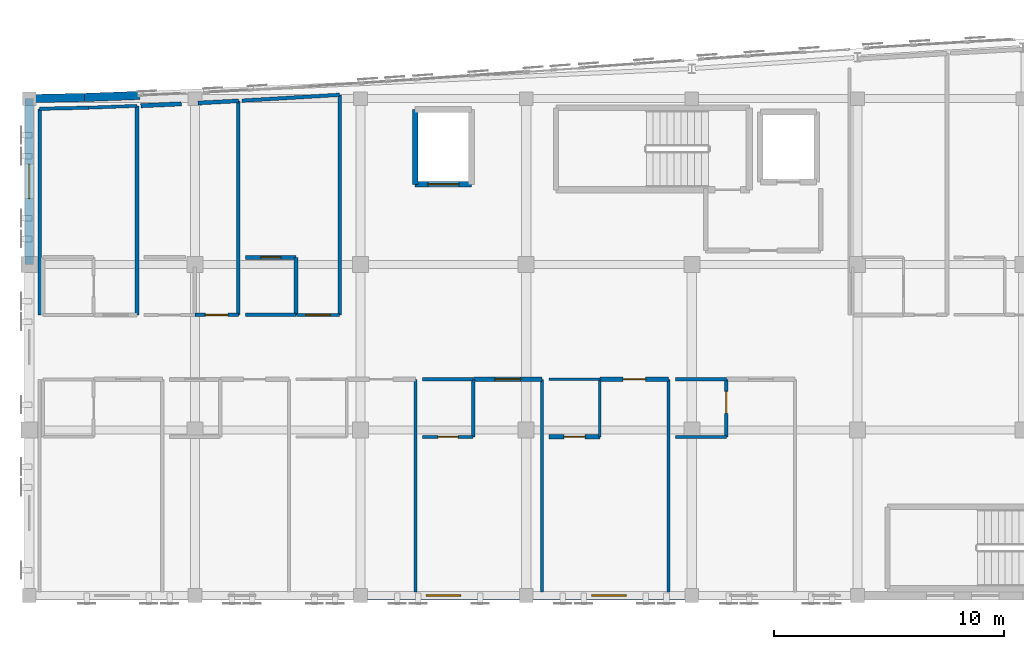
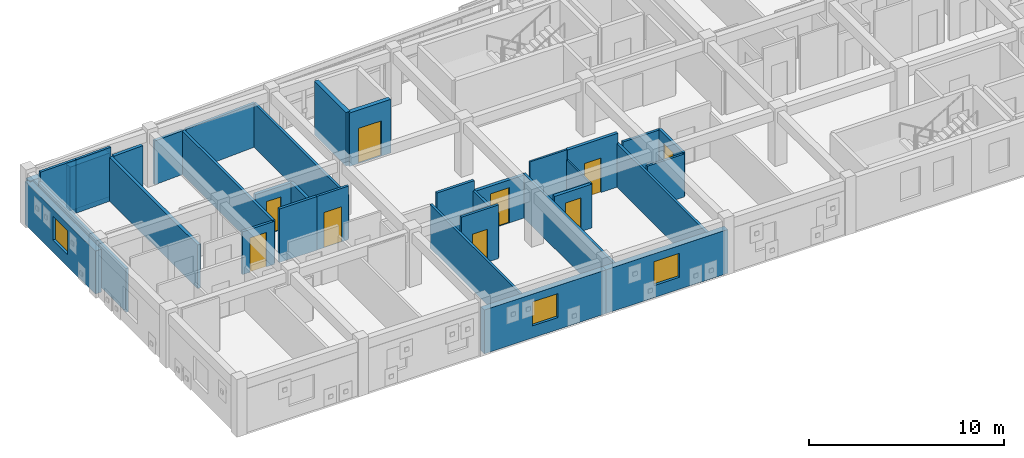
# One storey, part 36 of 48: 35 walls, 9 doors, 3 windows, 12 openings.
"""IFC4 building model written with IfcOpenShell, lengths in metres."""

from ifc_helpers import new_model, si_unit, direction, frame, frame_2d, origin, place, context, subcontext, project, spatial, rectangle, extrude, material, layer, layer_set, type_object, element, fill, save


model = new_model("IFC4")

# Units and contexts
model_context = context("Model", 3, precision=1e-05, world=origin(), true_north=direction((0.0, 1.0)))
body_context = subcontext(model_context, "Body", "Model", "MODEL_VIEW")
ifc_project = project(units=[si_unit("LENGTHUNIT", "METRE"), si_unit("AREAUNIT", "SQUARE_METRE"), si_unit("VOLUMEUNIT", "CUBIC_METRE"), si_unit("PLANEANGLEUNIT", "RADIAN"), si_unit("MASSUNIT", "GRAM", prefix="KILO")], contexts=[model_context])

# Site, building, storey
site_placement = place(None, origin())
site = spatial("IfcSite", under=ifc_project, at=site_placement, CompositionType="ELEMENT")
building_placement = place(site_placement, origin())
building = spatial("IfcBuilding", under=site, at=building_placement, Name="Carrowvane Square Congress Hotel", CompositionType="ELEMENT")
storey_placement = place(building_placement, frame((0.0, 0.0, 26.39990234375)))
storey = spatial("IfcBuildingStorey", under=building, at=storey_placement, Name="L06", CompositionType="ELEMENT", Elevation=26.39990234375)

# Walls
ifc_material_1 = material(Name="Glazed terracotta rainscreen", Category="masonry")
ifc_layer_1 = layer(ifc_material_1, 0.360107421875)
ifc_layer_set_1 = layer_set([ifc_layer_1], Name="Glazed terracotta rainscreen")
wall_type_1 = type_object("IfcWallType", Name="WL-EXT-TC360", PredefinedType="STANDARD", material=ifc_layer_set_1)
wall_1_placement = place(storey_placement, frame((33.199951171875, 113.39990234375, 0.0), z_axis=(0.0, 0.0, 1.0), x_axis=(0.999767568547, 0.021559426766, 0.0)))
element("IfcWall", 1, at=wall_1_placement, inside=storey, type_object=wall_type_1, Name="L06 exterior facade wall 479", PredefinedType="STANDARD", context=body_context, shape_type="SweptSolid", body=[
    extrude(rectangle(XDim=2.400634765625, YDim=0.360107421875, at=frame_2d((1.2001953125, 0.0))), origin(), (0.0, 0.0, 1.0), 2.735107421875),
])
wall_2_placement = place(storey_placement, frame((35.60009765625, 113.45166015625, 0.0), z_axis=(0.0, 0.0, 1.0), x_axis=(0.99930757318, 0.037207179225, 0.0)))
element("IfcWall", 2, at=wall_2_placement, inside=storey, type_object=wall_type_1, Name="L06 exterior facade wall 480", PredefinedType="STANDARD", context=body_context, shape_type="SweptSolid", body=[
    extrude(rectangle(XDim=2.401611328125, YDim=0.360107421875, at=frame_2d((1.20068359375, 0.0))), origin(), (0.0, 0.0, 1.0), 2.735107421875),
])

# Wall, opening, window
wall_3_placement = place(storey_placement, frame((62.0, 91.800048828125, 0.0), z_axis=(0.0, 0.0, 1.0), x_axis=(-1.0, 0.0, 0.0)))
wall_3 = element("IfcWall", 3, at=wall_3_placement, inside=storey, type_object=wall_type_1, Name="L06 exterior facade wall 500", PredefinedType="STANDARD", context=body_context, shape_type="SweptSolid", body=[
    extrude(rectangle(XDim=7.199951171875, YDim=0.360107421875, at=frame_2d((3.60009765625, 0.0))), origin(), (0.0, 0.0, 1.0), 2.735107421875),
])
opening_1_placement = place(wall_3_placement, frame((2.85009765625, 0.0, 0.75)))
opening_1 = element("IfcOpeningElement", 4, at=opening_1_placement, cuts=wall_3, Name="Opening W-15", PredefinedType="OPENING", context=body_context, shape_type="SweptSolid", body=[
    extrude(rectangle(XDim=1.5, YDim=1.5, at=frame_2d((0.75, 0.75))), frame((0.0, 0.18994140625, 0.0), z_axis=(0.0, -1.0, 0.0), x_axis=(1.0, 0.0, 0.0)), (0.0, 0.0, 1.0), 0.380126953125),
])
ifc_material_2 = material(Name="Double-glazed low-E glass", Category="glass")
window_type = type_object("IfcWindowType", Name="WIN-15", PartitioningType="SINGLE_PANEL", PredefinedType="WINDOW", material=ifc_material_2)
window_1_placement = place(opening_1_placement, origin())
window_1 = element("IfcWindow", 5, at=window_1_placement, inside=storey, type_object=window_type, Name="L06 facade window 336", OverallHeight=1.5, OverallWidth=1.5, PartitioningType="SINGLE_PANEL", PredefinedType="WINDOW", context=body_context, shape_type="SweptSolid", body=[
    extrude(rectangle(XDim=1.5, YDim=1.5, at=frame_2d((0.75, 0.75))), frame((0.0, 0.030029296875, 0.0), z_axis=(0.0, -1.0, 0.0), x_axis=(1.0, 0.0, 0.0)), (0.0, 0.0, 1.0), 0.06005859375),
])
fill(opening_1, window_1)

wall_4_placement = place(storey_placement, frame((54.800048828125, 91.800048828125, 0.0), z_axis=(0.0, 0.0, 1.0), x_axis=(-1.0, 0.0, 0.0)))
wall_4 = element("IfcWall", 6, at=wall_4_placement, inside=storey, type_object=wall_type_1, Name="L06 exterior facade wall 501", PredefinedType="STANDARD", context=body_context, shape_type="SweptSolid", body=[
    extrude(rectangle(XDim=7.199951171875, YDim=0.360107421875, at=frame_2d((3.60009765625, 0.0))), origin(), (0.0, 0.0, 1.0), 2.735107421875),
])
opening_2_placement = place(wall_4_placement, frame((2.85009765625, 0.0, 0.75)))
opening_2 = element("IfcOpeningElement", 7, at=opening_2_placement, cuts=wall_4, Name="Opening W-15", PredefinedType="OPENING", context=body_context, shape_type="SweptSolid", body=[
    extrude(rectangle(XDim=1.5, YDim=1.5, at=frame_2d((0.75, 0.75))), frame((0.0, 0.18994140625, 0.0), z_axis=(0.0, -1.0, 0.0), x_axis=(1.0, 0.0, 0.0)), (0.0, 0.0, 1.0), 0.380126953125),
])
window_2_placement = place(opening_2_placement, origin())
window_2 = element("IfcWindow", 8, at=window_2_placement, inside=storey, type_object=window_type, Name="L06 facade window 337", OverallHeight=1.5, OverallWidth=1.5, PartitioningType="SINGLE_PANEL", PredefinedType="WINDOW", context=body_context, shape_type="SweptSolid", body=[
    extrude(rectangle(XDim=1.5, YDim=1.5, at=frame_2d((0.75, 0.75))), frame((0.0, 0.030029296875, 0.0), z_axis=(0.0, -1.0, 0.0), x_axis=(1.0, 0.0, 0.0)), (0.0, 0.0, 1.0), 0.06005859375),
])
fill(opening_2, window_2)

wall_5_placement = place(storey_placement, frame((33.199951171875, 106.199951171875, 0.0), z_axis=(0.0, 0.0, 1.0), x_axis=(0.0, 1.0, 0.0)))
wall_5 = element("IfcWall", 9, at=wall_5_placement, inside=storey, type_object=wall_type_1, Name="L06 exterior facade wall 506", PredefinedType="STANDARD", context=body_context, shape_type="SweptSolid", body=[
    extrude(rectangle(XDim=7.199951171875, YDim=0.360107421875, at=frame_2d((3.60009765625, 0.0))), origin(), (0.0, 0.0, 1.0), 2.68505859375),
])
opening_3_placement = place(wall_5_placement, frame((2.85009765625, 0.0, 0.75)))
opening_3 = element("IfcOpeningElement", 10, at=opening_3_placement, cuts=wall_5, Name="Opening W-15", PredefinedType="OPENING", context=body_context, shape_type="SweptSolid", body=[
    extrude(rectangle(XDim=1.5, YDim=1.5, at=frame_2d((0.75, 0.75))), frame((0.0, 0.18994140625, 0.0), z_axis=(0.0, -1.0, 0.0), x_axis=(1.0, 0.0, 0.0)), (0.0, 0.0, 1.0), 0.380126953125),
])
window_3_placement = place(opening_3_placement, origin())
window_3 = element("IfcWindow", 11, at=window_3_placement, inside=storey, type_object=window_type, Name="L06 facade window 342", OverallHeight=1.5, OverallWidth=1.5, PartitioningType="SINGLE_PANEL", PredefinedType="WINDOW", context=body_context, shape_type="SweptSolid", body=[
    extrude(rectangle(XDim=1.5, YDim=1.5, at=frame_2d((0.75, 0.75))), frame((0.0, 0.030029296875, 0.0), z_axis=(0.0, -1.0, 0.0), x_axis=(1.0, 0.0, 0.0)), (0.0, 0.0, 1.0), 0.06005859375),
])
fill(opening_3, window_3)

# Walls
ifc_material_3 = material(Name="Acoustic gypsum board", Category="gypsum")
ifc_layer_2 = layer(ifc_material_3, 0.155029296875)
ifc_layer_set_2 = layer_set([ifc_layer_2], Name="Acoustic gypsum board")
wall_type_2 = type_object("IfcWallType", Name="WL-FIR-155", PredefinedType="PARTITIONING", material=ifc_layer_set_2)
wall_6_placement = place(storey_placement, frame((50.300048828125, 101.199951171875, 0.0), z_axis=(0.0, 0.0, 1.0), x_axis=(1.0, 0.0, 0.0)))
element("IfcWall", 12, at=wall_6_placement, inside=storey, type_object=wall_type_2, Name="L06 En-suite Bathroom 0604 partition", PredefinedType="PARTITIONING", context=body_context, shape_type="SweptSolid", body=[
    extrude(rectangle(XDim=2.199951171875, YDim=0.155029296875, at=frame_2d((1.10009765625, 0.0))), origin(), (0.0, 0.0, 1.0), 3.35009765625),
])
wall_7_placement = place(storey_placement, frame((33.64990234375, 104.0, 0.0), z_axis=(0.0, 0.0, 1.0), x_axis=(0.0, 1.0, 0.0)))
element("IfcWall", 13, at=wall_7_placement, inside=storey, type_object=wall_type_2, Name="L06 Parkview Guest Bedroom 0609 partition", PredefinedType="PARTITIONING", context=body_context, shape_type="SweptSolid", body=[
    extrude(rectangle(XDim=8.959716796875, YDim=0.155029296875, at=frame_2d((4.47998046875, 0.0))), origin(), (0.0, 0.0, 1.0), 2.735107421875),
])
wall_8_placement = place(storey_placement, frame((42.2900390625, 113.303955078125, 0.0), z_axis=(0.0, 0.0, 1.0), x_axis=(0.0, -1.0, 0.0)))
element("IfcWall", 14, at=wall_8_placement, inside=storey, type_object=wall_type_2, Name="L06 Parkview Guest Bedroom 0610 partition", PredefinedType="PARTITIONING", context=body_context, shape_type="SweptSolid", body=[
    extrude(rectangle(XDim=9.303955078125, YDim=0.155029296875, at=frame_2d((4.65185546875, 0.0))), origin(), (0.0, 0.0, 1.0), 2.735107421875),
])
wall_9_placement = place(storey_placement, frame((44.800048828125, 104.0, 0.0), z_axis=(0.0, 0.0, 1.0), x_axis=(-1.0, 0.0, 0.0)))
element("IfcWall", 15, at=wall_9_placement, inside=storey, type_object=wall_type_2, Name="L06 En-suite Bathroom 0611 partition", PredefinedType="PARTITIONING", context=body_context, shape_type="SweptSolid", body=[
    extrude(rectangle(XDim=2.199951171875, YDim=0.155029296875, at=frame_2d((1.10009765625, 0.0))), origin(), (0.0, 0.0, 1.0), 3.35009765625),
])
wall_10_placement = place(storey_placement, frame((42.449951171875, 113.3125, 0.0), z_axis=(0.0, 0.0, 1.0), x_axis=(0.99819459094, 0.060062955463, 0.0)))
element("IfcWall", 16, at=wall_10_placement, inside=storey, type_object=wall_type_2, Name="L06 Parkview Guest Bedroom 0611 partition", PredefinedType="PARTITIONING", context=body_context, shape_type="SweptSolid", body=[
    extrude(rectangle(XDim=4.24755859375, YDim=0.155029296875, at=frame_2d((2.123779296875, 0.0))), origin(), (0.0, 0.0, 1.0), 2.735107421875),
])
ifc_material_4 = material(Name="Acoustic gypsum board", Category="gypsum")
ifc_layer_3 = layer(ifc_material_4, 0.169921875)
ifc_layer_set_3 = layer_set([ifc_layer_3], Name="Acoustic gypsum board")
wall_type_3 = type_object("IfcWallType", Name="WL-FIR-170", PredefinedType="PARTITIONING", material=ifc_layer_set_3)
wall_11_placement = place(storey_placement, frame((40.529541015625, 113.2109375, 0.0), z_axis=(0.0, 0.0, 1.0), x_axis=(0.998607097136, 0.052762349745, 0.0)))
element("IfcWall", 17, at=wall_11_placement, inside=storey, type_object=wall_type_3, Name="L06 Parkview Guest Bedroom 0610 partition", PredefinedType="PARTITIONING", context=body_context, shape_type="SweptSolid", body=[
    extrude(rectangle(XDim=1.762939453125, YDim=0.169921875, at=frame_2d((0.88134765625, 0.0))), origin(), (0.0, 0.0, 1.0), 2.735107421875),
])
wall_12_placement = place(storey_placement, frame((44.800048828125, 106.5, 0.0), z_axis=(0.0, 0.0, 1.0), x_axis=(0.0, -1.0, 0.0)))
element("IfcWall", 18, at=wall_12_placement, inside=storey, type_object=wall_type_3, Name="L06 En-suite Bathroom 0611 partition", PredefinedType="PARTITIONING", context=body_context, shape_type="SweptSolid", body=[
    extrude(rectangle(XDim=2.5, YDim=0.169921875, at=frame_2d((1.25, 0.0))), origin(), (0.0, 0.0, 1.0), 2.735107421875),
])

# Wall, opening, door
ifc_material_5 = material(Name="Acoustic gypsum board", Category="gypsum")
ifc_layer_4 = layer(ifc_material_5, 0.18505859375)
ifc_layer_set_4 = layer_set([ifc_layer_4], Name="Acoustic gypsum board")
wall_type_4 = type_object("IfcWallType", Name="WL-FIR-185", PredefinedType="PARTITIONING", material=ifc_layer_set_4)
wall_13_placement = place(storey_placement, frame((52.510009765625, 101.199951171875, 0.0), z_axis=(0.0, 0.0, 1.0), x_axis=(1.0, 0.0, 0.0)))
wall_13 = element("IfcWall", 19, at=wall_13_placement, inside=storey, type_object=wall_type_4, Name="L06 Hotel Suite 0604 partition", PredefinedType="PARTITIONING", context=body_context, shape_type="SweptSolid", body=[
    extrude(rectangle(XDim=2.97998046875, YDim=0.18505859375, at=frame_2d((1.489990234375, 0.0))), origin(), (0.0, 0.0, 1.0), 2.68505859375),
])
opening_4_placement = place(wall_13_placement, frame((0.929931640625, 0.0, 0.0)))
opening_4 = element("IfcOpeningElement", 20, at=opening_4_placement, cuts=wall_13, Name="Opening FD-10", PredefinedType="OPENING", context=body_context, shape_type="SweptSolid", body=[
    extrude(rectangle(XDim=1.1201171875, YDim=2.199951171875, at=frame_2d((0.56005859375, 1.10009765625))), frame((0.0, 0.1025390625, 0.0), z_axis=(0.0, -1.0, 0.0), x_axis=(1.0, 0.0, 0.0)), (0.0, 0.0, 1.0), 0.205078125),
])
ifc_material_6 = material(Name="European oak timber", Category="wood")
door_type_1 = type_object("IfcDoorType", Name="DR-FD30-1120x2200", OperationType="NOTDEFINED", PredefinedType="DOOR", material=ifc_material_6)
door_1_placement = place(opening_4_placement, origin())
door_1 = element("IfcDoor", 21, at=door_1_placement, inside=storey, type_object=door_type_1, Name="L06 Hotel Suite 0604 entrance door", OperationType="SINGLE_SWING_LEFT", OverallHeight=2.199951171875, OverallWidth=1.1201171875, PredefinedType="DOOR", context=body_context, shape_type="SweptSolid", body=[
    extrude(rectangle(XDim=1.1201171875, YDim=2.199951171875, at=frame_2d((0.56005859375, 1.10009765625))), frame((0.0, 0.02490234375, 0.0), z_axis=(0.0, -1.0, 0.0), x_axis=(1.0, 0.0, 0.0)), (0.0, 0.0, 1.0), 0.050048828125),
])
fill(opening_4, door_1)

wall_14_placement = place(storey_placement, frame((58.0, 98.699951171875, 0.0), z_axis=(0.0, 0.0, 1.0), x_axis=(-1.0, 0.0, 0.0)))
wall_14 = element("IfcWall", 22, at=wall_14_placement, inside=storey, type_object=wall_type_4, Name="L06 En-suite Bathroom 0605 partition", PredefinedType="PARTITIONING", context=body_context, shape_type="SweptSolid", body=[
    extrude(rectangle(XDim=2.199951171875, YDim=0.18505859375, at=frame_2d((1.10009765625, 0.0))), origin(), (0.0, 0.0, 1.0), 2.735107421875),
])
opening_5_placement = place(wall_14_placement, frame((0.639892578125, 0.0, 0.0)))
opening_5 = element("IfcOpeningElement", 23, at=opening_5_placement, cuts=wall_14, Name="Opening ID-03", PredefinedType="OPENING", context=body_context, shape_type="SweptSolid", body=[
    extrude(rectangle(XDim=0.919921875, YDim=2.10009765625, at=frame_2d((0.4599609375, 1.050048828125))), frame((0.0, 0.1025390625, 0.0), z_axis=(0.0, -1.0, 0.0), x_axis=(1.0, 0.0, 0.0)), (0.0, 0.0, 1.0), 0.205078125),
])
ifc_material_7 = material(Name="European oak timber", Category="wood")
door_type_2 = type_object("IfcDoorType", Name="DR-INT-0920x2100", OperationType="NOTDEFINED", PredefinedType="DOOR", material=ifc_material_7)
door_2_placement = place(opening_5_placement, origin())
door_2 = element("IfcDoor", 24, at=door_2_placement, inside=storey, type_object=door_type_2, Name="L06 En-suite Bathroom 0605 door", OperationType="SINGLE_SWING_RIGHT", OverallHeight=2.10009765625, OverallWidth=0.919921875, PredefinedType="DOOR", context=body_context, shape_type="SweptSolid", body=[
    extrude(rectangle(XDim=0.919921875, YDim=2.10009765625, at=frame_2d((0.4599609375, 1.050048828125))), frame((0.0, 0.02490234375, 0.0), z_axis=(0.0, -1.0, 0.0), x_axis=(1.0, 0.0, 0.0)), (0.0, 0.0, 1.0), 0.050048828125),
])
fill(opening_5, door_2)

wall_15_placement = place(storey_placement, frame((58.010009765625, 101.199951171875, 0.0), z_axis=(0.0, 0.0, 1.0), x_axis=(1.0, 0.0, 0.0)))
wall_15 = element("IfcWall", 25, at=wall_15_placement, inside=storey, type_object=wall_type_4, Name="L06 Hotel Suite 0605 partition", PredefinedType="PARTITIONING", context=body_context, shape_type="SweptSolid", body=[
    extrude(rectangle(XDim=2.97998046875, YDim=0.18505859375, at=frame_2d((1.489990234375, 0.0))), origin(), (0.0, 0.0, 1.0), 3.35009765625),
])
opening_6_placement = place(wall_15_placement, frame((1.0, 0.0, 0.0)))
opening_6 = element("IfcOpeningElement", 26, at=opening_6_placement, cuts=wall_15, Name="Opening FD-07", PredefinedType="OPENING", context=body_context, shape_type="SweptSolid", body=[
    extrude(rectangle(XDim=0.97998046875, YDim=2.14990234375, at=frame_2d((0.489990234375, 1.074951171875))), frame((0.0, 0.1025390625, 0.0), z_axis=(0.0, -1.0, 0.0), x_axis=(1.0, 0.0, 0.0)), (0.0, 0.0, 1.0), 0.205078125),
])
ifc_material_8 = material(Name="European oak timber", Category="wood")
door_type_3 = type_object("IfcDoorType", Name="DR-FD30-0980x2150", OperationType="NOTDEFINED", PredefinedType="DOOR", material=ifc_material_8)
door_3_placement = place(opening_6_placement, origin())
door_3 = element("IfcDoor", 27, at=door_3_placement, inside=storey, type_object=door_type_3, Name="L06 Hotel Suite 0605 entrance door", OperationType="SINGLE_SWING_LEFT", OverallHeight=2.14990234375, OverallWidth=0.97998046875, PredefinedType="DOOR", context=body_context, shape_type="SweptSolid", body=[
    extrude(rectangle(XDim=0.97998046875, YDim=2.14990234375, at=frame_2d((0.489990234375, 1.074951171875))), frame((0.0, 0.02490234375, 0.0), z_axis=(0.0, -1.0, 0.0), x_axis=(1.0, 0.0, 0.0)), (0.0, 0.0, 1.0), 0.050048828125),
])
fill(opening_6, door_3)

# Walls
wall_16_placement = place(storey_placement, frame((37.889892578125, 113.0869140625, 0.0), z_axis=(0.0, 0.0, 1.0), x_axis=(0.0, -1.0, 0.0)))
element("IfcWall", 28, at=wall_16_placement, inside=storey, type_object=wall_type_4, Name="L06 Parkview Guest Bedroom 0609 partition", PredefinedType="PARTITIONING", context=body_context, shape_type="SweptSolid", body=[
    extrude(rectangle(XDim=9.0869140625, YDim=0.18505859375, at=frame_2d((4.54345703125, 0.0))), origin(), (0.0, 0.0, 1.0), 2.735107421875),
])
wall_17_placement = place(storey_placement, frame((38.050048828125, 113.09326171875, 0.0), z_axis=(0.0, 0.0, 1.0), x_axis=(0.99891589499, 0.046551420349, 0.0)))
element("IfcWall", 29, at=wall_17_placement, inside=storey, type_object=wall_type_4, Name="L06 Parkview Guest Bedroom 0610 partition", PredefinedType="PARTITIONING", context=body_context, shape_type="SweptSolid", body=[
    extrude(rectangle(XDim=1.76220703125, YDim=0.18505859375, at=frame_2d((0.881103515625, 0.0))), origin(), (0.0, 0.0, 1.0), 2.735107421875),
])

# Wall, opening, door
wall_18_placement = place(storey_placement, frame((42.60009765625, 106.5, 0.0), z_axis=(0.0, 0.0, 1.0), x_axis=(1.0, 0.0, 0.0)))
wall_18 = element("IfcWall", 30, at=wall_18_placement, inside=storey, type_object=wall_type_4, Name="L06 En-suite Bathroom 0611 partition", PredefinedType="PARTITIONING", context=body_context, shape_type="SweptSolid", body=[
    extrude(rectangle(XDim=2.199951171875, YDim=0.18505859375, at=frame_2d((1.10009765625, 0.0))), origin(), (0.0, 0.0, 1.0), 2.735107421875),
])
opening_7_placement = place(wall_18_placement, frame((0.6650390625, 0.0, 0.0)))
opening_7 = element("IfcOpeningElement", 31, at=opening_7_placement, cuts=wall_18, Name="Opening ID-15", PredefinedType="OPENING", context=body_context, shape_type="SweptSolid", body=[
    extrude(rectangle(XDim=0.8701171875, YDim=2.070068359375, at=frame_2d((0.43505859375, 1.03515625))), frame((0.0, 0.1025390625, 0.0), z_axis=(0.0, -1.0, 0.0), x_axis=(1.0, 0.0, 0.0)), (0.0, 0.0, 1.0), 0.205078125),
])
ifc_material_9 = material(Name="European oak timber", Category="wood")
door_type_4 = type_object("IfcDoorType", Name="DR-INT-0870x2070", OperationType="NOTDEFINED", PredefinedType="DOOR", material=ifc_material_9)
door_4_placement = place(opening_7_placement, origin())
door_4 = element("IfcDoor", 32, at=door_4_placement, inside=storey, type_object=door_type_4, Name="L06 En-suite Bathroom 0611 door", OperationType="SINGLE_SWING_RIGHT", OverallHeight=2.070068359375, OverallWidth=0.8701171875, PredefinedType="DOOR", context=body_context, shape_type="SweptSolid", body=[
    extrude(rectangle(XDim=0.8701171875, YDim=2.070068359375, at=frame_2d((0.43505859375, 1.03515625))), frame((0.0, 0.02490234375, 0.0), z_axis=(0.0, -1.0, 0.0), x_axis=(1.0, 0.0, 0.0)), (0.0, 0.0, 1.0), 0.050048828125),
])
fill(opening_7, door_4)

# Walls
ifc_material_10 = material(Name="Acoustic gypsum board", Category="gypsum")
ifc_layer_5 = layer(ifc_material_10, 0.097900390625)
ifc_layer_set_5 = layer_set([ifc_layer_5], Name="Acoustic gypsum board")
wall_type_5 = type_object("IfcWallType", Name="WL-PRT-098", PredefinedType="PARTITIONING", material=ifc_layer_set_5)
wall_19_placement = place(storey_placement, frame((58.0, 101.199951171875, 0.0), z_axis=(0.0, 0.0, 1.0), x_axis=(0.0, -1.0, 0.0)))
element("IfcWall", 33, at=wall_19_placement, inside=storey, type_object=wall_type_5, Name="L06 En-suite Bathroom 0605 partition", PredefinedType="PARTITIONING", context=body_context, shape_type="SweptSolid", body=[
    extrude(rectangle(XDim=2.5, YDim=0.097900390625, at=frame_2d((1.25, 0.0))), origin(), (0.0, 0.0, 1.0), 2.735107421875),
])
ifc_material_11 = material(Name="Acoustic gypsum board", Category="gypsum")
ifc_layer_6 = layer(ifc_material_11, 0.10791015625)
ifc_layer_set_6 = layer_set([ifc_layer_6], Name="Acoustic gypsum board")
wall_type_6 = type_object("IfcWallType", Name="WL-PRT-108", PredefinedType="PARTITIONING", material=ifc_layer_set_6)
wall_20_placement = place(storey_placement, frame((55.800048828125, 101.199951171875, 0.0), z_axis=(0.0, 0.0, 1.0), x_axis=(1.0, 0.0, 0.0)))
element("IfcWall", 34, at=wall_20_placement, inside=storey, type_object=wall_type_6, Name="L06 En-suite Bathroom 0605 partition", PredefinedType="PARTITIONING", context=body_context, shape_type="SweptSolid", body=[
    extrude(rectangle(XDim=2.199951171875, YDim=0.10791015625, at=frame_2d((1.10009765625, 0.0))), origin(), (0.0, 0.0, 1.0), 3.35009765625),
])
ifc_material_12 = material(Name="Acoustic gypsum board", Category="gypsum")
ifc_layer_7 = layer(ifc_material_12, 0.1279296875)
ifc_layer_set_7 = layer_set([ifc_layer_7], Name="Acoustic gypsum board")
wall_type_7 = type_object("IfcWallType", Name="WL-PRT-128", PredefinedType="PARTITIONING", material=ifc_layer_set_7)
wall_21_placement = place(storey_placement, frame((63.5, 98.699951171875, 0.0), z_axis=(0.0, 0.0, 1.0), x_axis=(-1.0, 0.0, 0.0)))
element("IfcWall", 35, at=wall_21_placement, inside=storey, type_object=wall_type_7, Name="L06 En-suite Bathroom 0606 partition", PredefinedType="PARTITIONING", context=body_context, shape_type="SweptSolid", body=[
    extrude(rectangle(XDim=2.199951171875, YDim=0.1279296875, at=frame_2d((1.10009765625, 0.0))), origin(), (0.0, 0.0, 1.0), 2.68505859375),
])
ifc_material_13 = material(Name="Acoustic gypsum board", Category="gypsum")
ifc_layer_8 = layer(ifc_material_13, 0.137939453125)
ifc_layer_set_8 = layer_set([ifc_layer_8], Name="Acoustic gypsum board")
wall_type_8 = type_object("IfcWallType", Name="WL-PRT-138", PredefinedType="PARTITIONING", material=ifc_layer_set_8)
wall_22_placement = place(storey_placement, frame((49.989990234375, 101.199951171875, 0.0), z_axis=(0.0, 0.0, 1.0), x_axis=(0.0, -1.0, 0.0)))
element("IfcWall", 36, at=wall_22_placement, inside=storey, type_object=wall_type_8, Name="L06 Hotel Suite 0603 partition", PredefinedType="PARTITIONING", context=body_context, shape_type="SweptSolid", body=[
    extrude(rectangle(XDim=9.239990234375, YDim=0.137939453125, at=frame_2d((4.6201171875, 0.0))), origin(), (0.0, 0.0, 1.0), 2.735107421875),
])

# Wall, opening, door
wall_23_placement = place(storey_placement, frame((52.5, 98.699951171875, 0.0), z_axis=(0.0, 0.0, 1.0), x_axis=(-1.0, 0.0, 0.0)))
wall_23 = element("IfcWall", 37, at=wall_23_placement, inside=storey, type_object=wall_type_8, Name="L06 En-suite Bathroom 0604 partition", PredefinedType="PARTITIONING", context=body_context, shape_type="SweptSolid", body=[
    extrude(rectangle(XDim=2.199951171875, YDim=0.137939453125, at=frame_2d((1.10009765625, 0.0))), origin(), (0.0, 0.0, 1.0), 3.35009765625),
])
opening_8_placement = place(wall_23_placement, frame((0.659912109375, 0.0, 0.0)))
opening_8 = element("IfcOpeningElement", 38, at=opening_8_placement, cuts=wall_23, Name="Opening ID-01", PredefinedType="OPENING", context=body_context, shape_type="SweptSolid", body=[
    extrude(rectangle(XDim=0.8798828125, YDim=2.06005859375, at=frame_2d((0.43994140625, 1.030029296875))), frame((0.0, 0.078857421875, 0.0), z_axis=(0.0, -1.0, 0.0), x_axis=(1.0, 0.0, 0.0)), (0.0, 0.0, 1.0), 0.157958984375),
])
ifc_material_14 = material(Name="European oak timber", Category="wood")
door_type_5 = type_object("IfcDoorType", Name="DR-INT-0880x2060", OperationType="NOTDEFINED", PredefinedType="DOOR", material=ifc_material_14)
door_5_placement = place(opening_8_placement, origin())
door_5 = element("IfcDoor", 39, at=door_5_placement, inside=storey, type_object=door_type_5, Name="L06 En-suite Bathroom 0604 door", OperationType="SINGLE_SWING_RIGHT", OverallHeight=2.06005859375, OverallWidth=0.8798828125, PredefinedType="DOOR", context=body_context, shape_type="SweptSolid", body=[
    extrude(rectangle(XDim=0.8798828125, YDim=2.06005859375, at=frame_2d((0.43994140625, 1.030029296875))), frame((0.0, 0.02490234375, 0.0), z_axis=(0.0, -1.0, 0.0), x_axis=(1.0, 0.0, 0.0)), (0.0, 0.0, 1.0), 0.050048828125),
])
fill(opening_8, door_5)

# Walls
for number, where, z_axis, x_axis, name in (
    (40, (55.489990234375, 101.199951171875, 0.0), (0.0, 0.0, 1.0), (0.0, -1.0, 0.0), "L06 Hotel Suite 0604 partition"),
    (41, (60.989990234375, 101.199951171875, 0.0), (0.0, 0.0, 1.0), (0.0, -1.0, 0.0), "L06 Hotel Suite 0605 partition"),
):
    element("IfcWall", number, at=place(storey_placement, frame(where, z_axis=z_axis, x_axis=x_axis)), inside=storey, type_object=wall_type_8, Name=name, PredefinedType="PARTITIONING", context=body_context, shape_type="SweptSolid", body=[
        extrude(rectangle(XDim=9.239990234375, YDim=0.137939453125, at=frame_2d((4.6201171875, 0.0))), origin(), (0.0, 0.0, 1.0), 2.735107421875),
    ])

# Wall, opening, door
wall_24_placement = place(storey_placement, frame((63.5, 101.199951171875, 0.0), z_axis=(0.0, 0.0, 1.0), x_axis=(0.0, -1.0, 0.0)))
wall_24 = element("IfcWall", 42, at=wall_24_placement, inside=storey, type_object=wall_type_8, Name="L06 En-suite Bathroom 0606 partition", PredefinedType="PARTITIONING", context=body_context, shape_type="SweptSolid", body=[
    extrude(rectangle(XDim=2.5, YDim=0.137939453125, at=frame_2d((1.25, 0.0))), origin(), (0.0, 0.0, 1.0), 2.735107421875),
])
opening_9_placement = place(wall_24_placement, frame((0.52001953125, 0.0, 0.0)))
opening_9 = element("IfcOpeningElement", 43, at=opening_9_placement, cuts=wall_24, Name="Opening ID-05", PredefinedType="OPENING", context=body_context, shape_type="SweptSolid", body=[
    extrude(rectangle(XDim=0.9599609375, YDim=2.139892578125, at=frame_2d((0.47998046875, 1.06982421875))), frame((0.0, 0.078857421875, 0.0), z_axis=(0.0, -1.0, 0.0), x_axis=(1.0, 0.0, 0.0)), (0.0, 0.0, 1.0), 0.157958984375),
])
ifc_material_15 = material(Name="European oak timber", Category="wood")
door_type_6 = type_object("IfcDoorType", Name="DR-INT-0960x2140", OperationType="NOTDEFINED", PredefinedType="DOOR", material=ifc_material_15)
door_6_placement = place(opening_9_placement, origin())
door_6 = element("IfcDoor", 44, at=door_6_placement, inside=storey, type_object=door_type_6, Name="L06 En-suite Bathroom 0606 door", OperationType="SINGLE_SWING_RIGHT", OverallHeight=2.139892578125, OverallWidth=0.9599609375, PredefinedType="DOOR", context=body_context, shape_type="SweptSolid", body=[
    extrude(rectangle(XDim=0.9599609375, YDim=2.139892578125, at=frame_2d((0.47998046875, 1.06982421875))), frame((0.0, 0.02490234375, 0.0), z_axis=(0.0, -1.0, 0.0), x_axis=(1.0, 0.0, 0.0)), (0.0, 0.0, 1.0), 0.050048828125),
])
fill(opening_9, door_6)

# Wall
wall_25_placement = place(storey_placement, frame((35.77001953125, 113.008056640625, 0.0), z_axis=(0.0, 0.0, 1.0), x_axis=(0.999308829795, 0.0371734138, 0.0)))
element("IfcWall", 45, at=wall_25_placement, inside=storey, type_object=wall_type_8, Name="L06 Parkview Guest Bedroom 0609 partition", PredefinedType="PARTITIONING", context=body_context, shape_type="SweptSolid", body=[
    extrude(rectangle(XDim=2.121337890625, YDim=0.137939453125, at=frame_2d((1.060546875, 0.0))), origin(), (0.0, 0.0, 1.0), 3.35009765625),
])

# Wall, opening, door
wall_26_placement = place(storey_placement, frame((46.68994140625, 104.0, 0.0), z_axis=(0.0, 0.0, 1.0), x_axis=(-1.0, 0.0, 0.0)))
wall_26 = element("IfcWall", 46, at=wall_26_placement, inside=storey, type_object=wall_type_8, Name="L06 Parkview Guest Bedroom 0611 partition", PredefinedType="PARTITIONING", context=body_context, shape_type="SweptSolid", body=[
    extrude(rectangle(XDim=1.8798828125, YDim=0.137939453125, at=frame_2d((0.93994140625, 0.0))), origin(), (0.0, 0.0, 1.0), 3.35009765625),
])
opening_10_placement = place(wall_26_placement, frame((0.409912109375, 0.0, 0.0)))
opening_10 = element("IfcOpeningElement", 47, at=opening_10_placement, cuts=wall_26, Name="Opening FD-09", PredefinedType="OPENING", context=body_context, shape_type="SweptSolid", body=[
    extrude(rectangle(XDim=1.06005859375, YDim=2.199951171875, at=frame_2d((0.530029296875, 1.10009765625))), frame((0.0, 0.078857421875, 0.0), z_axis=(0.0, -1.0, 0.0), x_axis=(1.0, 0.0, 0.0)), (0.0, 0.0, 1.0), 0.157958984375),
])
ifc_material_16 = material(Name="European oak timber", Category="wood")
door_type_7 = type_object("IfcDoorType", Name="DR-FD30-1060x2200", OperationType="NOTDEFINED", PredefinedType="DOOR", material=ifc_material_16)
door_7_placement = place(opening_10_placement, origin())
door_7 = element("IfcDoor", 48, at=door_7_placement, inside=storey, type_object=door_type_7, Name="L06 Parkview Guest Bedroom 0611 entrance door", OperationType="SINGLE_SWING_LEFT", OverallHeight=2.199951171875, OverallWidth=1.06005859375, PredefinedType="DOOR", context=body_context, shape_type="SweptSolid", body=[
    extrude(rectangle(XDim=1.06005859375, YDim=2.199951171875, at=frame_2d((0.530029296875, 1.10009765625))), frame((0.0, 0.02490234375, 0.0), z_axis=(0.0, -1.0, 0.0), x_axis=(1.0, 0.0, 0.0)), (0.0, 0.0, 1.0), 0.050048828125),
])
fill(opening_10, door_7)

# Walls
ifc_material_17 = material(Name="Acoustic gypsum board", Category="gypsum")
ifc_layer_9 = layer(ifc_material_17, 0.14794921875)
ifc_layer_set_9 = layer_set([ifc_layer_9], Name="Acoustic gypsum board")
wall_type_9 = type_object("IfcWallType", Name="WL-PRT-148", PredefinedType="PARTITIONING", material=ifc_layer_set_9)
wall_27_placement = place(storey_placement, frame((52.5, 101.199951171875, 0.0), z_axis=(0.0, 0.0, 1.0), x_axis=(0.0, -1.0, 0.0)))
element("IfcWall", 49, at=wall_27_placement, inside=storey, type_object=wall_type_9, Name="L06 En-suite Bathroom 0604 partition", PredefinedType="PARTITIONING", context=body_context, shape_type="SweptSolid", body=[
    extrude(rectangle(XDim=2.5, YDim=0.14794921875, at=frame_2d((1.25, 0.0))), origin(), (0.0, 0.0, 1.0), 2.735107421875),
])
wall_28_placement = place(storey_placement, frame((61.300048828125, 101.199951171875, 0.0), z_axis=(0.0, 0.0, 1.0), x_axis=(1.0, 0.0, 0.0)))
element("IfcWall", 50, at=wall_28_placement, inside=storey, type_object=wall_type_9, Name="L06 En-suite Bathroom 0606 partition", PredefinedType="PARTITIONING", context=body_context, shape_type="SweptSolid", body=[
    extrude(rectangle(XDim=2.199951171875, YDim=0.14794921875, at=frame_2d((1.10009765625, 0.0))), origin(), (0.0, 0.0, 1.0), 2.68505859375),
])
wall_29_placement = place(storey_placement, frame((33.64990234375, 112.959716796875, 0.0), z_axis=(0.0, 0.0, 1.0), x_axis=(0.999740168701, 0.022794628443, 0.0)))
element("IfcWall", 51, at=wall_29_placement, inside=storey, type_object=wall_type_9, Name="L06 Parkview Guest Bedroom 0609 partition", PredefinedType="PARTITIONING", context=body_context, shape_type="SweptSolid", body=[
    extrude(rectangle(XDim=2.12060546875, YDim=0.14794921875, at=frame_2d((1.060302734375, 0.0))), origin(), (0.0, 0.0, 1.0), 3.35009765625),
])

# Wall, opening, door
wall_30_placement = place(storey_placement, frame((42.2900390625, 104.0, 0.0), z_axis=(0.0, 0.0, 1.0), x_axis=(-1.0, 0.0, 0.0)))
wall_30 = element("IfcWall", 52, at=wall_30_placement, inside=storey, type_object=wall_type_9, Name="L06 Parkview Guest Bedroom 0610 partition", PredefinedType="PARTITIONING", context=body_context, shape_type="SweptSolid", body=[
    extrude(rectangle(XDim=1.880126953125, YDim=0.14794921875, at=frame_2d((0.93994140625, 0.0))), origin(), (0.0, 0.0, 1.0), 2.68505859375),
])
opening_11_placement = place(wall_30_placement, frame((0.449951171875, 0.0, 0.0)))
opening_11 = element("IfcOpeningElement", 53, at=opening_11_placement, cuts=wall_30, Name="Opening FD-07", PredefinedType="OPENING", context=body_context, shape_type="SweptSolid", body=[
    extrude(rectangle(XDim=0.97998046875, YDim=2.14990234375, at=frame_2d((0.489990234375, 1.074951171875))), frame((0.0, 0.083984375, 0.0), z_axis=(0.0, -1.0, 0.0), x_axis=(1.0, 0.0, 0.0)), (0.0, 0.0, 1.0), 0.16796875),
])
door_8_placement = place(opening_11_placement, origin())
door_8 = element("IfcDoor", 54, at=door_8_placement, inside=storey, type_object=door_type_3, Name="L06 Parkview Guest Bedroom 0610 entrance door", OperationType="SINGLE_SWING_LEFT", OverallHeight=2.14990234375, OverallWidth=0.97998046875, PredefinedType="DOOR", context=body_context, shape_type="SweptSolid", body=[
    extrude(rectangle(XDim=0.97998046875, YDim=2.14990234375, at=frame_2d((0.489990234375, 1.074951171875))), frame((0.0, 0.02490234375, 0.0), z_axis=(0.0, -1.0, 0.0), x_axis=(1.0, 0.0, 0.0)), (0.0, 0.0, 1.0), 0.050048828125),
])
fill(opening_11, door_8)

# Wall
wall_31_placement = place(storey_placement, frame((46.68994140625, 113.567626953125, 0.0), z_axis=(0.0, 0.0, 1.0), x_axis=(0.0, -1.0, 0.0)))
element("IfcWall", 55, at=wall_31_placement, inside=storey, type_object=wall_type_9, Name="L06 Parkview Guest Bedroom 0611 partition", PredefinedType="PARTITIONING", context=body_context, shape_type="SweptSolid", body=[
    extrude(rectangle(XDim=9.567626953125, YDim=0.14794921875, at=frame_2d((4.78369140625, 0.0))), origin(), (0.0, 0.0, 1.0), 2.735107421875),
])

# Wall, opening, door
ifc_material_18 = material(Name="Concrete C40/50", Category="concrete")
ifc_layer_10 = layer(ifc_material_18, 0.25)
ifc_layer_set_10 = layer_set([ifc_layer_10], Name="Concrete C40/50")
wall_type_10 = type_object("IfcWallType", Name="WL-SHR-250", PredefinedType="SHEAR", material=ifc_layer_set_10)
wall_32_placement = place(storey_placement, frame((49.97509765625, 109.675048828125, 0.0), z_axis=(0.0, 0.0, 1.0), x_axis=(1.0, 0.0, 0.0)))
wall_32 = element("IfcWall", 56, at=wall_32_placement, inside=storey, type_object=wall_type_10, Name="L06 SL-1 shaft wall south", PredefinedType="SHEAR", context=body_context, shape_type="SweptSolid", body=[
    extrude(rectangle(XDim=2.449951171875, YDim=0.25, at=frame_2d((1.22509765625, 0.0))), origin(), (0.0, 0.0, 1.0), 3.35009765625),
])
opening_12_placement = place(wall_32_placement, frame((0.550048828125, 0.0, 0.0)))
opening_12 = element("IfcOpeningElement", 57, at=opening_12_placement, cuts=wall_32, Name="Opening LD-SL-1", PredefinedType="OPENING", context=body_context, shape_type="SweptSolid", body=[
    extrude(rectangle(XDim=1.35009765625, YDim=2.199951171875, at=frame_2d((0.675048828125, 1.10009765625))), frame((0.0, 0.135009765625, 0.0), z_axis=(0.0, -1.0, 0.0), x_axis=(1.0, 0.0, 0.0)), (0.0, 0.0, 1.0), 0.27001953125),
])
ifc_material_19 = material(Name="Stainless steel 316", Category="steel")
door_type_8 = type_object("IfcDoorType", Name="DR-LD-1350x2200", OperationType="DOUBLE_DOOR_SLIDING", PredefinedType="DOOR", material=ifc_material_19)
door_9_placement = place(opening_12_placement, origin())
door_9 = element("IfcDoor", 58, at=door_9_placement, inside=storey, type_object=door_type_8, Name="L06 SL-1 sliding lift landing door", OperationType="DOUBLE_DOOR_SLIDING", OverallHeight=2.199951171875, OverallWidth=1.35009765625, PredefinedType="DOOR", context=body_context, shape_type="SweptSolid", body=[
    extrude(rectangle(XDim=1.35009765625, YDim=2.199951171875, at=frame_2d((0.675048828125, 1.10009765625))), frame((0.0, 0.02490234375, 0.0), z_axis=(0.0, -1.0, 0.0), x_axis=(1.0, 0.0, 0.0)), (0.0, 0.0, 1.0), 0.050048828125),
])
fill(opening_12, door_9)

# Wall
wall_33_placement = place(storey_placement, frame((49.97509765625, 112.925048828125, 0.0), z_axis=(0.0, 0.0, 1.0), x_axis=(0.0, -1.0, 0.0)))
element("IfcWall", 59, at=wall_33_placement, inside=storey, type_object=wall_type_10, Name="L06 SL-1 shaft wall west", PredefinedType="SHEAR", context=body_context, shape_type="SweptSolid", body=[
    extrude(rectangle(XDim=3.25, YDim=0.25, at=frame_2d((1.625, 0.0))), origin(), (0.0, 0.0, 1.0), 3.35009765625),
])

save(model, "model.ifc")
